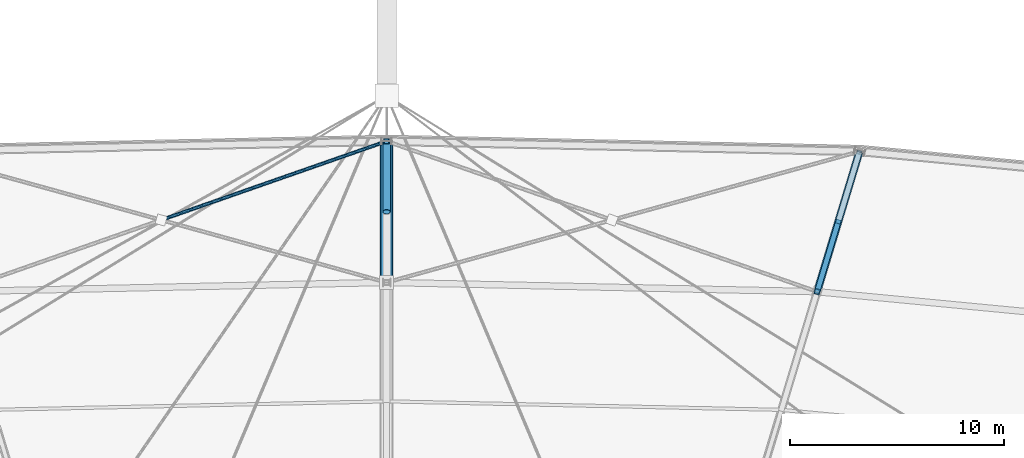
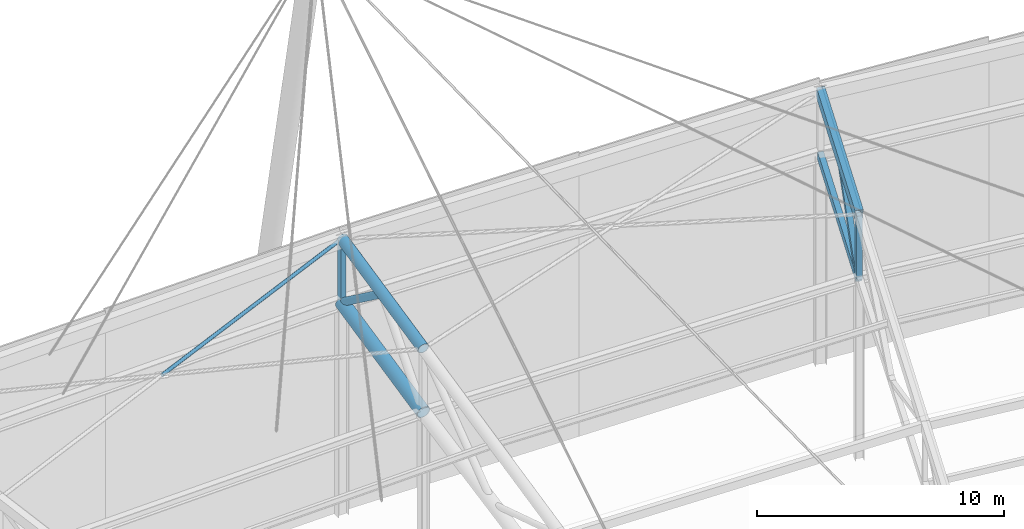
# One storey, part 98 of 143: 5 members, 4 beams.
"""IFC4 building model written with IfcOpenShell, lengths in metres."""

from ifc_helpers import new_model, si_unit, direction, frame, origin, origin_2d, place, context, subcontext, project, spatial, hollow_rectangle, hollow_circle, extrude, material, material_profile, profile_set, type_object, element, save


model = new_model("IFC4")

# Units and contexts
model_context = context("Model", 3, precision=1e-05, world=origin(), true_north=direction((0.0, 1.0)))
body_context = subcontext(model_context, "Body", "Model", "MODEL_VIEW")
ifc_project = project(units=[si_unit("LENGTHUNIT", "METRE"), si_unit("AREAUNIT", "SQUARE_METRE"), si_unit("VOLUMEUNIT", "CUBIC_METRE"), si_unit("PLANEANGLEUNIT", "RADIAN"), si_unit("MASSUNIT", "GRAM", prefix="KILO")], contexts=[model_context])

# Site, building, storey
site_placement = place(None, origin())
site = spatial("IfcSite", under=ifc_project, at=site_placement, CompositionType="ELEMENT")
building_placement = place(site_placement, origin())
building = spatial("IfcBuilding", under=site, at=building_placement, Name="Mphavela Belvedere Stadium", CompositionType="ELEMENT")
storey_placement = place(building_placement, frame((0.0, 0.0, 28.800048828125)))
storey = spatial("IfcBuildingStorey", under=building, at=storey_placement, Name="RF", CompositionType="ELEMENT", Elevation=28.800048828125)

# Beams
ifc_material_1 = material(Name="Steel S355", Category="steel")
ifc_material_profile_1 = material_profile(ifc_material_1, hollow_circle(Radius=0.304931640625, WallThickness=0.02490234375, at=origin_2d()), Name="CHS 610x25")
ifc_profile_set_1 = profile_set([ifc_material_profile_1], Name="Steel S355")
beam_type_1 = type_object("IfcBeamType", Name="BM-TRUSS-BC1", PredefinedType="BEAM", material=ifc_profile_set_1)
beam_1_placement = place(storey_placement, frame((115.0, 160.669921875, 10.510986328125), z_axis=(0.0, -0.977034636497, -0.213080546001), x_axis=(1.0, 0.0, 0.0)))
element("IfcBeam", 1, at=beam_1_placement, inside=storey, type_object=beam_type_1, Name="Radial roof truss RT-13 bottom chord 1", PredefinedType="BEAM", context=body_context, shape_type="SweptSolid", body=[
    extrude(hollow_circle(Radius=0.304931640625, WallThickness=0.02490234375, at=origin_2d()), origin(), (0.0, 0.0, 1.0), 6.7578125),
])
ifc_material_2 = material(Name="Steel S355", Category="steel")
ifc_material_profile_2 = material_profile(ifc_material_2, hollow_rectangle(XDim=0.25, YDim=0.39990234375, WallThickness=0.01611328125, at=origin_2d()), Name="RHS 400x250x16")
ifc_profile_set_2 = profile_set([ifc_material_profile_2], Name="Steel S355")
beam_type_2 = type_object("IfcBeamType", Name="BM-TRUSS-BC2", PredefinedType="BEAM", material=ifc_profile_set_2)
beam_2_placement = place(storey_placement, frame((137.114501953125, 160.19384765625, 10.347412109375), z_axis=(-0.283128197914, -0.937214679037, -0.203634645734), x_axis=(0.95727245631, -0.28918755919, 0.0)))
element("IfcBeam", 2, at=beam_2_placement, inside=storey, type_object=beam_type_2, Name="Radial roof truss RT-12 bottom chord 1", PredefinedType="BEAM", context=body_context, shape_type="SweptSolid", body=[
    extrude(hollow_rectangle(XDim=0.25, YDim=0.39990234375, WallThickness=0.01611328125, at=origin_2d()), origin(), (0.0, 0.0, 1.0), 6.999267578125),
])
ifc_material_3 = material(Name="Steel S355", Category="steel")
ifc_material_profile_3 = material_profile(ifc_material_3, hollow_circle(Radius=0.25390625, WallThickness=0.02490234375, at=origin_2d()), Name="CHS 508x25")
ifc_profile_set_3 = profile_set([ifc_material_profile_3], Name="Steel S355")
beam_type_3 = type_object("IfcBeamType", Name="BM-TRUSS-TC1", PredefinedType="BEAM", material=ifc_profile_set_3)
beam_3_placement = place(storey_placement, frame((115.0, 160.669921875, 13.660888671875), z_axis=(0.0, -0.977034636497, -0.213080546001), x_axis=(1.0, 0.0, 0.0)))
element("IfcBeam", 3, at=beam_3_placement, inside=storey, type_object=beam_type_3, Name="Radial roof truss RT-13 top chord 1", PredefinedType="BEAM", context=body_context, shape_type="SweptSolid", body=[
    extrude(hollow_circle(Radius=0.25390625, WallThickness=0.02490234375, at=origin_2d()), origin(), (0.0, 0.0, 1.0), 6.7578125),
])
ifc_material_4 = material(Name="Steel S355", Category="steel")
ifc_material_profile_4 = material_profile(ifc_material_4, hollow_rectangle(XDim=0.35009765625, YDim=0.5, WallThickness=0.02001953125, at=origin_2d()), Name="RHS 500x350x20")
ifc_profile_set_4 = profile_set([ifc_material_profile_4], Name="Steel S355")
beam_type_4 = type_object("IfcBeamType", Name="BM-TRUSS-TC2", PredefinedType="BEAM", material=ifc_profile_set_4)
beam_4_placement = place(storey_placement, frame((137.114501953125, 160.19384765625, 13.497314453125), z_axis=(-0.283130208811, -0.937221335535, -0.203601210894), x_axis=(0.95727245631, -0.28918755919, 0.0)))
element("IfcBeam", 4, at=beam_4_placement, inside=storey, type_object=beam_type_4, Name="Radial roof truss RT-12 top chord 1", PredefinedType="BEAM", context=body_context, shape_type="SweptSolid", body=[
    extrude(hollow_rectangle(XDim=0.35009765625, YDim=0.5, WallThickness=0.02001953125, at=origin_2d()), origin(), (0.0, 0.0, 1.0), 6.999267578125),
])

# Members
ifc_material_5 = material(Name="Steel S355", Category="steel")
ifc_material_profile_5 = material_profile(ifc_material_5, hollow_circle(Radius=0.177734375, WallThickness=0.01611328125, at=origin_2d()), Name="CHS 355.6x16")
ifc_profile_set_5 = profile_set([ifc_material_profile_5], Name="Steel S355")
member_type_1 = type_object("IfcMemberType", Name="MEM-DIAG-355", PredefinedType="BRACE", material=ifc_profile_set_5)
member_1_placement = place(storey_placement, frame((115.0, 160.669921875, 10.510986328125), z_axis=(0.0, -0.805328195789, 0.592829230948), x_axis=(1.0, 0.0, 0.0)))
element("IfcMember", 5, at=member_1_placement, inside=storey, type_object=member_type_1, Name="Radial roof truss RT-13 web diagonal D1", PredefinedType="BRACE", context=body_context, shape_type="SweptSolid", body=[
    extrude(hollow_circle(Radius=0.177734375, WallThickness=0.01611328125, at=origin_2d()), origin(), (0.0, 0.0, 1.0), 4.099365234375),
])
ifc_material_6 = material(Name="Steel S355", Category="steel")
ifc_material_profile_6 = material_profile(ifc_material_6, hollow_rectangle(XDim=0.25, YDim=0.25, WallThickness=0.012451171875, at=origin_2d()), Name="SHS 250x250x12.5")
ifc_profile_set_6 = profile_set([ifc_material_profile_6], Name="Steel S355")
member_type_2 = type_object("IfcMemberType", Name="MEM-POST-SHS250", PredefinedType="POST", material=ifc_profile_set_6)
member_2_placement = place(storey_placement, frame((135.1328125, 153.634033203125, 8.922119140625), z_axis=(0.0, 0.0, 1.0), x_axis=(0.289198876314, 0.957269037387, 0.0)))
element("IfcMember", 6, at=member_2_placement, inside=storey, type_object=member_type_2, Name="Radial roof truss RT-12 post P2", PredefinedType="POST", context=body_context, shape_type="SweptSolid", body=[
    extrude(hollow_rectangle(XDim=0.25, YDim=0.25, WallThickness=0.012451171875, at=origin_2d()), origin(), (0.0, 0.0, 1.0), 3.150146484375),
])
member_3_placement = place(storey_placement, frame((136.12353515625, 156.913818359375, 12.78466796875), z_axis=(-0.191884501069, -0.635233215219, -0.748103669642), x_axis=(0.957279339623, -0.289164772978, 0.0)))
element("IfcMember", 7, at=member_3_placement, inside=storey, type_object=member_type_2, Name="Radial roof truss RT-12 web diagonal D2", PredefinedType="POST", context=body_context, shape_type="SweptSolid", body=[
    extrude(hollow_rectangle(XDim=0.25, YDim=0.25, WallThickness=0.012451171875, at=origin_2d()), origin(), (0.0, 0.0, 1.0), 5.1630859375),
])
member_4_placement = place(storey_placement, frame((115.0, 160.669921875, 10.510986328125), z_axis=(0.0, 0.0, 1.0), x_axis=(0.0, 1.0, 0.0)))
element("IfcMember", 8, at=member_4_placement, inside=storey, type_object=member_type_2, Name="Radial roof truss RT-13 post P1", PredefinedType="POST", context=body_context, shape_type="SweptSolid", body=[
    extrude(hollow_rectangle(XDim=0.25, YDim=0.25, WallThickness=0.012451171875, at=origin_2d()), origin(), (0.0, 0.0, 1.0), 3.14990234375),
])
ifc_material_7 = material(Name="Steel S355", Category="steel")
ifc_material_profile_7 = material_profile(ifc_material_7, hollow_circle(Radius=0.084228515625, WallThickness=0.010009765625, at=origin_2d()), Name="CHS 168.3x10")
ifc_profile_set_7 = profile_set([ifc_material_profile_7], Name="Steel S355")
member_type_3 = type_object("IfcMemberType", Name="MEM-ROOF-XBRACE", PredefinedType="BRACE", material=ifc_profile_set_7)
member_5_placement = place(storey_placement, frame((115.0, 160.669921875, 13.660888671875), z_axis=(-0.941407748182, -0.328988923721, -0.074281489837), x_axis=(0.329900334784, -0.944015767405, 0.0)))
element("IfcMember", 9, at=member_5_placement, inside=storey, type_object=member_type_3, Name="Roof diaphragm split X-brace B1 13", PredefinedType="BRACE", context=body_context, shape_type="SweptSolid", body=[
    extrude(hollow_circle(Radius=0.084228515625, WallThickness=0.010009765625, at=origin_2d()), origin(), (0.0, 0.0, 1.0), 11.194580078125),
])

save(model, "model.ifc")
